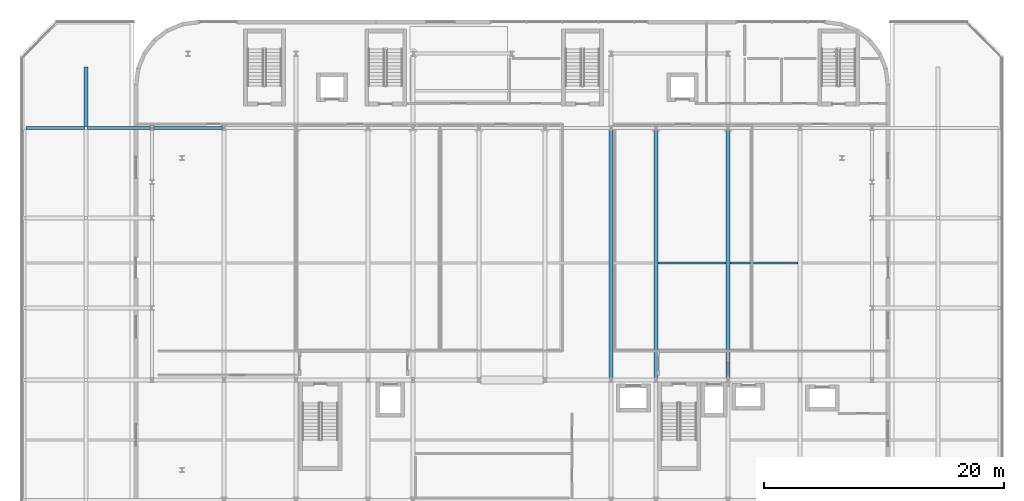
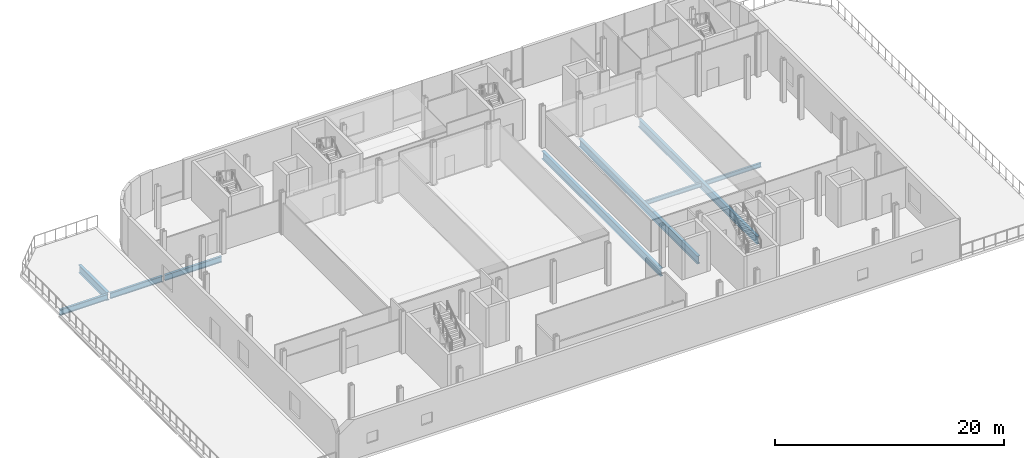
# One storey, part 3 of 26: 9 beams.
"""IFC4 building model written with IfcOpenShell, lengths in metres."""

import ifcopenshell
import ifcopenshell.guid

model = None  # the IFC model being written
_history = None  # IfcOwnerHistory: only IFC2X3 demands one
_inside = {}  # id of a spatial element -> (the spatial element, [elements in it])
_under = {}  # id of a project, library or spatial element -> (it, [spatial elements below it])
_declared = {}  # id of a project -> (the project, [libraries it declares])
_typed = {}  # id of a type object -> (the type object, [elements of that type])
_made_of = {}  # id of a material, layer set ... -> (it, [elements and type objects made of it])


def new_model(schema):
    """Start an empty IFC model of exactly this schema.

    Asked for "IFC4X3", IfcOpenShell would pick the latest addendum, in which some entities
    have other attributes; the version numbers below select the first issue.
    IFC2X3 requires an IfcOwnerHistory on every rooted entity: one is made here for all.
    """
    global model, _history
    if schema == "IFC4X3":
        model = ifcopenshell.file(schema_version=(4, 3, 0, 0))
    else:
        model = ifcopenshell.file(schema=schema)
    _inside.clear()
    _under.clear()
    _declared.clear()
    _typed.clear()
    _made_of.clear()
    _history = None
    if model.schema == "IFC2X3":
        org = make("IfcOrganization", Name="unknown")
        user = make(
            "IfcPersonAndOrganization",
            ThePerson=make("IfcPerson", FamilyName="unknown"),
            TheOrganization=org,
        )
        app = make(
            "IfcApplication",
            ApplicationDeveloper=org,
            Version="unknown",
            ApplicationFullName="unknown",
            ApplicationIdentifier="unknown",
        )
        _history = make(
            "IfcOwnerHistory",
            OwningUser=user,
            OwningApplication=app,
            ChangeAction="ADDED",
            CreationDate=0,
        )
    return model


def make(cls, **values):
    """One entity of the class cls with the attributes given. An attribute that is None is left unset."""
    return model.create_entity(
        cls, **{name: value for name, value in values.items() if value is not None}
    )


def rooted(cls, **values):
    """An entity with a GlobalId (a new one), such as an element, a storey or a relation."""
    return make(cls, GlobalId=ifcopenshell.guid.new(), OwnerHistory=_history, **values)


def si_unit(unit_type, name, prefix=None):
    """IfcSIUnit, for example si_unit("LENGTHUNIT", "METRE", prefix="MILLI")."""
    return make("IfcSIUnit", UnitType=unit_type, Prefix=prefix, Name=name)


def assignment(units):
    """IfcUnitAssignment: the units of a project."""
    return None if units is None else make("IfcUnitAssignment", Units=units)


def point(xyz):
    """IfcCartesianPoint."""
    return None if xyz is None else make("IfcCartesianPoint", Coordinates=xyz)


def direction(xyz):
    """IfcDirection."""
    return None if xyz is None else make("IfcDirection", DirectionRatios=xyz)


def frame(location, z_axis=None, x_axis=None):
    """IfcAxis2Placement3D, a coordinate frame: its origin and axes. An axis left out is left unset."""
    return make(
        "IfcAxis2Placement3D",
        Location=point(location),
        Axis=direction(z_axis),
        RefDirection=direction(x_axis),
    )


def frame_2d(location, x_axis=None):
    """IfcAxis2Placement2D, a coordinate frame in the plane: its origin and x axis."""
    return make(
        "IfcAxis2Placement2D", Location=point(location), RefDirection=direction(x_axis)
    )


def origin():
    """The frame at (0, 0, 0) with its axes left unset."""
    return frame((0.0, 0.0, 0.0))


def origin_2d():
    """The frame at (0, 0) in the plane with its x axis left unset."""
    return frame_2d((0.0, 0.0))


def place(relative_to, where):
    """IfcLocalPlacement: puts the frame where relative to a parent placement (None: the world)."""
    return make(
        "IfcLocalPlacement", PlacementRelTo=relative_to, RelativePlacement=where
    )


def context(
    kind, dimensions, precision=None, world=None, true_north=None, identifier=None
):
    """IfcGeometricRepresentationContext, for example the 3D "Model" context."""
    return make(
        "IfcGeometricRepresentationContext",
        ContextIdentifier=identifier,
        ContextType=kind,
        CoordinateSpaceDimension=dimensions,
        Precision=precision,
        WorldCoordinateSystem=world,
        TrueNorth=true_north,
    )


def subcontext(parent, identifier, kind, view, scale=None):
    """IfcGeometricRepresentationSubContext, for example "Body" below "Model"."""
    return make(
        "IfcGeometricRepresentationSubContext",
        ContextIdentifier=identifier,
        ContextType=kind,
        ParentContext=parent,
        TargetScale=scale,
        TargetView=view,
    )


def project(units=None, contexts=None):
    """IfcProject with its units and contexts."""
    return rooted(
        "IfcProject",
        Name="project",
        RepresentationContexts=contexts,
        UnitsInContext=assignment(units),
    )


def spatial(cls, under=None, at=None, **own):
    """A site, building, storey or space (cls), placed at a placement, below another one or the project."""
    s = rooted(cls, ObjectPlacement=at, **own)
    if under is not None:
        _under.setdefault(under.id(), (under, []))[1].append(s)
    return s


def profile(cls, at=None, kind="AREA", **sizes):
    """A parametric profile (cls). Its sizes go by their IFC names, for example OverallWidth=200.0."""
    return make(cls, ProfileType=kind, Position=at, **sizes)


def i_section(**sizes):
    """IfcIShapeProfileDef."""
    return profile("IfcIShapeProfileDef", **sizes)


def extrude(swept, where, along, depth):
    """IfcExtrudedAreaSolid: the profile swept, set in the frame where, extruded along a direction by depth."""
    return make(
        "IfcExtrudedAreaSolid",
        SweptArea=swept,
        Position=where,
        ExtrudedDirection=direction(along),
        Depth=depth,
    )


def shape(context_of_items, identifier, shape_type, items):
    """IfcShapeRepresentation: the items that make up one representation, for example the "Body"."""
    return make(
        "IfcShapeRepresentation",
        ContextOfItems=context_of_items,
        RepresentationIdentifier=identifier,
        RepresentationType=shape_type,
        Items=items,
    )


def material(Name=None, Category=None):
    """IfcMaterial."""
    return make("IfcMaterial", Name=Name, Category=Category)


def material_profile(
    of_material, cross_section, Name=None, Category=None, Priority=None
):
    """IfcMaterialProfile: a cross section and its material."""
    return make(
        "IfcMaterialProfile",
        Name=Name,
        Material=of_material,
        Profile=cross_section,
        Priority=Priority,
        Category=Category,
    )


def profile_set(profiles, Name=None, composite=None):
    """IfcMaterialProfileSet."""
    return make(
        "IfcMaterialProfileSet",
        Name=Name,
        MaterialProfiles=profiles,
        CompositeProfile=composite,
    )


def made_of(thing, what):
    """Note that an element or type object is made of a material, layer set ...; save() writes the relation."""
    if what is not None:
        _made_of.setdefault(what.id(), (what, []))[1].append(thing)
    return thing


def type_object(cls, material=None, **own):
    """A type object (cls), such as IfcWallType, which elements share."""
    return made_of(rooted(cls, **own), material)


def element(
    cls,
    number,
    at=None,
    inside=None,
    cuts=None,
    type_object=None,
    material=None,
    context=None,
    identifier="Body",
    shape_type=None,
    held_by="IfcProductDefinitionShape",
    body=None,
    shapes=None,
    **own,
):
    """One element of the class cls, such as IfcWall. Its Tag is "e" and its number.

    at: its placement. inside: the storey or other place that contains it. cuts: it is an
    opening in that element (IfcRelVoidsElement). A single representation is given by context,
    identifier, shape_type and body (its items); several are given by shapes. held_by: the class
    of the entity that holds the representations. save() writes the other relations.
    """
    e = rooted(cls, Tag="e%d" % number, ObjectPlacement=at, **own)
    if body is not None:
        shapes = [shape(context, identifier, shape_type, body)]
    if shapes is not None:
        e.Representation = make(held_by, Representations=shapes)
    if inside is not None:
        _inside.setdefault(inside.id(), (inside, []))[1].append(e)
    if cuts is not None:
        rooted(
            "IfcRelVoidsElement", RelatingBuildingElement=cuts, RelatedOpeningElement=e
        )
    if type_object is not None:
        _typed.setdefault(type_object.id(), (type_object, []))[1].append(e)
    return made_of(e, material)


def aggregate(whole, parts):
    """IfcRelAggregates: a whole, such as a stair, and the parts it consists of."""
    return rooted("IfcRelAggregates", RelatingObject=whole, RelatedObjects=parts)


def save(model, path):
    """Write the relations noted so far, then the file.

    IfcRelAggregates (storeys below a building ...), IfcRelContainedInSpatialStructure (elements
    in a storey), IfcRelDefinesByType, IfcRelAssociatesMaterial and IfcRelDeclares: one each for
    every whole, place, type object, material and project.
    """
    for whole, parts in _under.values():
        aggregate(whole, parts)
    for where, things in _inside.values():
        rooted(
            "IfcRelContainedInSpatialStructure",
            RelatedElements=things,
            RelatingStructure=where,
        )
    for kind, things in _typed.values():
        rooted("IfcRelDefinesByType", RelatedObjects=things, RelatingType=kind)
    for what, things in _made_of.values():
        rooted("IfcRelAssociatesMaterial", RelatedObjects=things, RelatingMaterial=what)
    for by, libraries in _declared.values():
        rooted("IfcRelDeclares", RelatingContext=by, RelatedDefinitions=libraries)
    model.write(path)


model = new_model("IFC4")

# Units and contexts
model_context = context("Model", 3, precision=1e-05, world=origin(), true_north=direction((0.0, 1.0)))
body_context = subcontext(model_context, "Body", "Model", "MODEL_VIEW")
ifc_project = project(units=[si_unit("LENGTHUNIT", "METRE"), si_unit("AREAUNIT", "SQUARE_METRE"), si_unit("VOLUMEUNIT", "CUBIC_METRE"), si_unit("PLANEANGLEUNIT", "RADIAN"), si_unit("MASSUNIT", "GRAM", prefix="KILO")], contexts=[model_context])

# Site, building, storey
site_placement = place(None, origin())
site = spatial("IfcSite", under=ifc_project, at=site_placement, CompositionType="ELEMENT")
building_placement = place(site_placement, origin())
building = spatial("IfcBuilding", under=site, at=building_placement, Name="Brevholm Reach", CompositionType="ELEMENT")
storey_placement = place(building_placement, frame((0.0, 0.0, 18.0)))
storey = spatial("IfcBuildingStorey", under=building, at=storey_placement, Name="L04", CompositionType="ELEMENT", Elevation=18.0)

# Beams
ifc_material_1 = material(Name="Structural Steel S355J2", Category="steel")
ifc_material_profile_1 = material_profile(ifc_material_1, i_section(OverallWidth=0.1904296875, OverallDepth=0.45703125, WebThickness=0.009033203125, FlangeThickness=0.014404296875, FilletRadius=0.01025390625, at=origin_2d()), Name="UKB 457x191x74")
ifc_profile_set_1 = profile_set([ifc_material_profile_1], Name="Structural Steel S355J2")
beam_type_1 = type_object("IfcBeamType", Name="BM-B457", PredefinedType="BEAM", material=ifc_profile_set_1)
for number, where, z_axis, x_axis, name in (
    (1, (42.14697265625, 19.75, -0.508544921875), (1.0, 0.0, 0.0), (0.0, 1.0, 0.0), "L04 Composite Secondary Floor Beam"),
    (2, (48.14697265625, 19.75, -0.508544921875), (1.0, 0.0, 0.0), (0.0, 1.0, 0.0), "L04 Composite Secondary Floor Beam"),
):
    element("IfcBeam", number, at=place(storey_placement, frame(where, z_axis=z_axis, x_axis=x_axis)), inside=storey, type_object=beam_type_1, Name=name, PredefinedType="BEAM", context=body_context, shape_type="SweptSolid", body=[
        extrude(i_section(OverallWidth=0.1904296875, OverallDepth=0.45703125, WebThickness=0.009033203125, FlangeThickness=0.014404296875, FilletRadius=0.01025390625, at=origin_2d()), origin(), (0.0, 0.0, 1.0), 5.7060546875),
    ])
ifc_material_2 = material(Name="Structural Steel S355J2", Category="steel")
ifc_material_profile_2 = material_profile(ifc_material_2, i_section(OverallWidth=0.22900390625, OverallDepth=0.6123046875, WebThickness=0.011962890625, FlangeThickness=0.01953125, FilletRadius=0.0126953125, at=origin_2d()), Name="UKB 610x229x125")
ifc_profile_set_2 = profile_set([ifc_material_profile_2], Name="Structural Steel S355J2")
beam_type_2 = type_object("IfcBeamType", Name="BM-SP610", PredefinedType="SPANDREL", material=ifc_profile_set_2)
beam_1_placement = place(storey_placement, frame((-10.47998046875, 31.0, -0.586181640625), z_axis=(1.0, 0.0, 0.0), x_axis=(0.0, 1.0, 0.0)))
element("IfcBeam", 3, at=beam_1_placement, inside=storey, type_object=beam_type_2, Name="L04 SP-01 Framing Beam", PredefinedType="SPANDREL", context=body_context, shape_type="SweptSolid", body=[
    extrude(i_section(OverallWidth=0.22900390625, OverallDepth=0.6123046875, WebThickness=0.011962890625, FlangeThickness=0.01953125, FilletRadius=0.0126953125, at=origin_2d()), origin(), (0.0, 0.0, 1.0), 4.85986328125),
])
beam_2_placement = place(storey_placement, frame((-5.3798828125, 31.0, -0.586181640625), z_axis=(1.0, 0.0, 0.0), x_axis=(0.0, 1.0, 0.0)))
element("IfcBeam", 4, at=beam_2_placement, inside=storey, type_object=beam_type_2, Name="L04 SP-01 Framing Beam", PredefinedType="SPANDREL", context=body_context, shape_type="SweptSolid", body=[
    extrude(i_section(OverallWidth=0.22900390625, OverallDepth=0.6123046875, WebThickness=0.011962890625, FlangeThickness=0.01953125, FilletRadius=0.0126953125, at=origin_2d()), origin(), (0.0, 0.0, 1.0), 5.259765625),
])
beam_3_placement = place(storey_placement, frame((0.1201171875, 31.0, -0.586181640625), z_axis=(1.0, 0.0, 0.0), x_axis=(0.0, 1.0, 0.0)))
element("IfcBeam", 5, at=beam_3_placement, inside=storey, type_object=beam_type_2, Name="L04 SP-01 Framing Beam", PredefinedType="SPANDREL", context=body_context, shape_type="SweptSolid", body=[
    extrude(i_section(OverallWidth=0.22900390625, OverallDepth=0.6123046875, WebThickness=0.011962890625, FlangeThickness=0.01953125, FilletRadius=0.0126953125, at=origin_2d()), origin(), (0.0, 0.0, 1.0), 5.759765625),
])
ifc_material_3 = material(Name="Structural Steel S355J2", Category="steel")
ifc_material_profile_3 = material_profile(ifc_material_3, i_section(OverallWidth=0.293701171875, OverallDepth=0.850830078125, WebThickness=0.01611328125, FlangeThickness=0.02685546875, FilletRadius=0.017822265625, at=origin_2d()), Name="UKB 838x292x226")
ifc_profile_set_3 = profile_set([ifc_material_profile_3], Name="Structural Steel S355J2")
beam_type_3 = type_object("IfcBeamType", Name="BM-UKB838", PredefinedType="USERDEFINED", material=ifc_profile_set_3)
beam_4_placement = place(storey_placement, frame((-5.5, 31.1201171875, -0.70556640625), z_axis=(0.0, 1.0, 0.0), x_axis=(-1.0, 0.0, 0.0)))
element("IfcBeam", 6, at=beam_4_placement, inside=storey, type_object=beam_type_3, Name="L04 G-03 Framing Beam", ObjectType="GIRDER", PredefinedType="USERDEFINED", context=body_context, shape_type="SweptSolid", body=[
    extrude(i_section(OverallWidth=0.293701171875, OverallDepth=0.850830078125, WebThickness=0.01611328125, FlangeThickness=0.02685546875, FilletRadius=0.017822265625, at=origin_2d()), origin(), (0.0, 0.0, 1.0), 4.9599609375),
])
for number, where, z_axis, x_axis, name in (
    (7, (38.25, 10.1201171875, -0.70556640625), (0.0, 1.0, 0.0), (-1.0, 0.0, 0.0), "L04 G-03 Framing Beam"),
    (8, (42.0, 10.1201171875, -0.70556640625), (0.0, 1.0, 0.0), (-1.0, 0.0, 0.0), "L04 G-03 Framing Beam"),
    (9, (48.0, 10.1201171875, -0.70556640625), (0.0, 1.0, 0.0), (-1.0, 0.0, 0.0), "L04 G-03 Framing Beam"),
):
    element("IfcBeam", number, at=place(storey_placement, frame(where, z_axis=z_axis, x_axis=x_axis)), inside=storey, type_object=beam_type_3, Name=name, ObjectType="GIRDER", PredefinedType="USERDEFINED", context=body_context, shape_type="SweptSolid", body=[
        extrude(i_section(OverallWidth=0.293701171875, OverallDepth=0.850830078125, WebThickness=0.01611328125, FlangeThickness=0.02685546875, FilletRadius=0.017822265625, at=origin_2d()), origin(), (0.0, 0.0, 1.0), 20.759765625),
    ])

save(model, "model.ifc")
